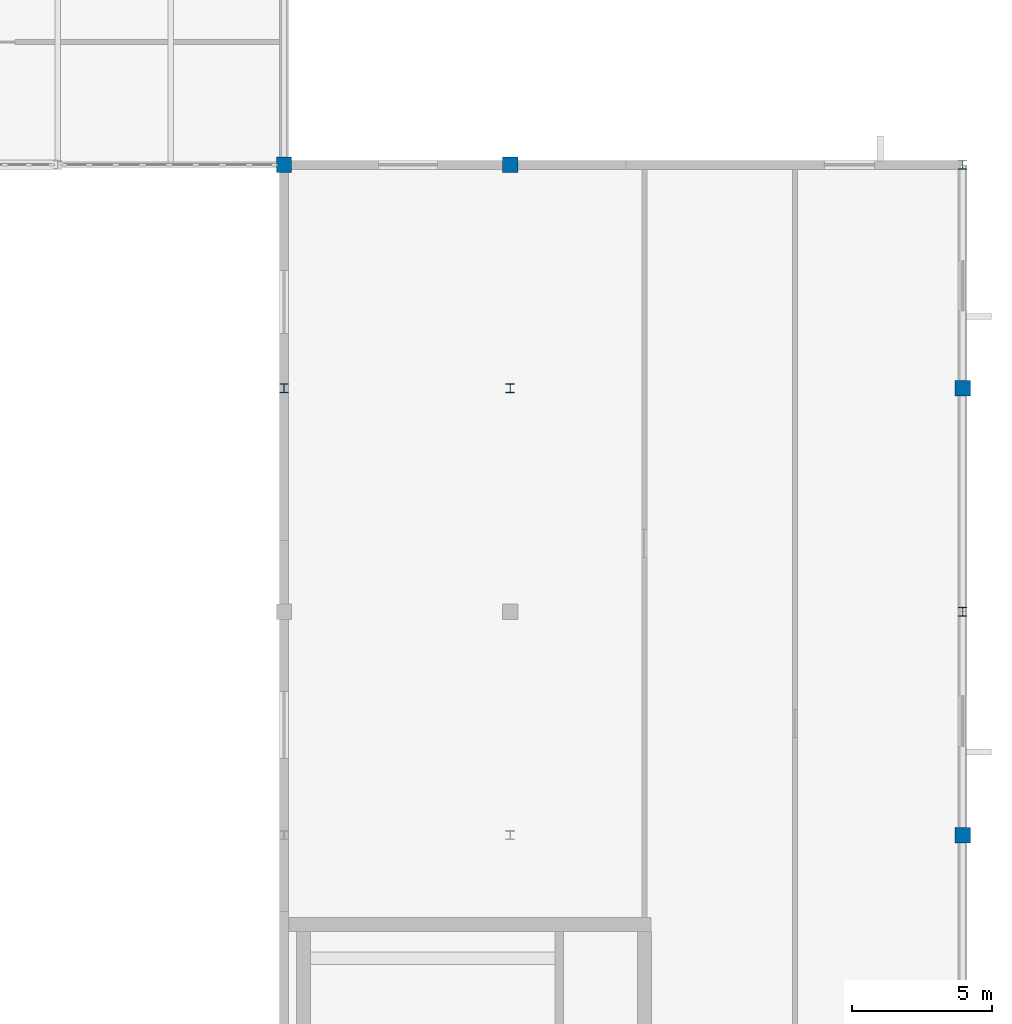
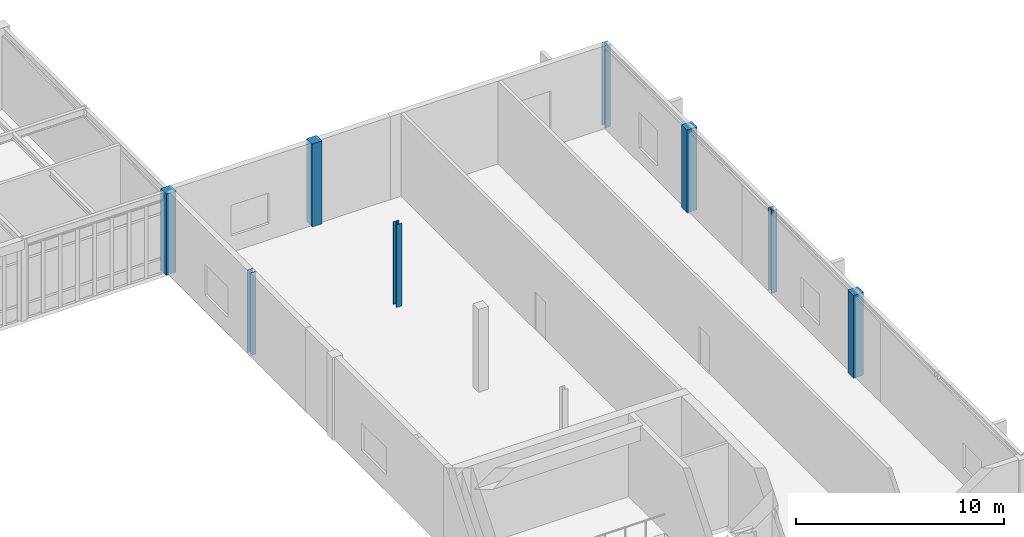
# One storey, part 9 of 70: 8 columns.
"""IFC4 building model written with IfcOpenShell, lengths in metres."""

from ifc_helpers import new_model, si_unit, direction, frame, origin, origin_2d, place, context, subcontext, project, spatial, rectangle, i_section, extrude, material, material_profile, profile_set, type_object, element, save


model = new_model("IFC4")

# Units and contexts
model_context = context("Model", 3, precision=1e-05, world=origin(), true_north=direction((0.0, 1.0)))
body_context = subcontext(model_context, "Body", "Model", "MODEL_VIEW")
ifc_project = project(units=[si_unit("LENGTHUNIT", "METRE"), si_unit("AREAUNIT", "SQUARE_METRE"), si_unit("VOLUMEUNIT", "CUBIC_METRE"), si_unit("PLANEANGLEUNIT", "RADIAN"), si_unit("MASSUNIT", "GRAM", prefix="KILO")], contexts=[model_context])

# Site, building, storey
site_placement = place(None, origin())
site = spatial("IfcSite", under=ifc_project, at=site_placement, CompositionType="ELEMENT")
building_placement = place(site_placement, origin())
building = spatial("IfcBuilding", under=site, at=building_placement, Name="Tarnveldt Square Police Headquarters", CompositionType="ELEMENT")
storey_placement = place(building_placement, frame((0.0, 0.0, 19.800048828125)))
storey = spatial("IfcBuildingStorey", under=building, at=storey_placement, Name="L04", CompositionType="ELEMENT", Elevation=19.800048828125)

# Columns
ifc_material_1 = material(Name="Concrete 40 MPa", Category="concrete")
ifc_material_profile_1 = material_profile(ifc_material_1, rectangle(XDim=0.550048828125, YDim=0.550048828125, at=origin_2d()), Name="RC-C550x550")
ifc_profile_set_1 = profile_set([ifc_material_profile_1], Name="Concrete 40 MPa")
column_type_1 = type_object("IfcColumnType", Name="COL-RC550", PredefinedType="COLUMN", material=ifc_profile_set_1)
column_placement = place(storey_placement, frame((105.300048828125, 96.0, 0.0), z_axis=(0.0, 0.0, 1.0), x_axis=(1.0, 0.0, 0.0)))
element("IfcColumn", 1, at=column_placement, inside=storey, type_object=column_type_1, Name="L04 Column 150", PredefinedType="COLUMN", context=body_context, shape_type="SweptSolid", body=[
    extrude(rectangle(XDim=0.550048828125, YDim=0.550048828125, at=origin_2d()), origin(), (0.0, 0.0, 1.0), 4.760009765625),
])
for number, where, z_axis, x_axis, name in (
    (2, (113.39990234375, 96.0, 0.0), (0.0, 0.0, 1.0), (1.0, 0.0, 0.0), "L04 Column 160"),
    (3, (129.60009765625, 72.0, 0.0), (0.0, 0.0, 1.0), (1.0, 0.0, 0.0), "L04 Column 174"),
    (4, (129.60009765625, 88.0, 0.0), (0.0, 0.0, 1.0), (1.0, 0.0, 0.0), "L04 Column 176"),
):
    element("IfcColumn", number, at=place(storey_placement, frame(where, z_axis=z_axis, x_axis=x_axis)), inside=storey, type_object=column_type_1, Name=name, PredefinedType="COLUMN", context=body_context, shape_type="SweptSolid", body=[
        extrude(rectangle(XDim=0.550048828125, YDim=0.550048828125, at=origin_2d()), origin(), (0.0, 0.0, 1.0), 4.85986328125),
    ])
ifc_material_2 = material(Name="Steel 350W", Category="steel")
ifc_material_profile_2 = material_profile(ifc_material_2, i_section(OverallWidth=0.304931640625, OverallDepth=0.30810546875, WebThickness=0.010009765625, FlangeThickness=0.015380859375, FilletRadius=0.014892578125, at=origin_2d()), Name="W310x97")
ifc_profile_set_2 = profile_set([ifc_material_profile_2], Name="Steel 350W")
column_type_2 = type_object("IfcColumnType", Name="COL-W310x97", PredefinedType="COLUMN", material=ifc_profile_set_2)
for number, where, z_axis, x_axis, name in (
    (5, (105.300048828125, 88.0, 0.0), (0.0, 0.0, 1.0), (1.0, 0.0, 0.0), "L04 Column 149"),
    (6, (113.39990234375, 88.0, 0.0), (0.0, 0.0, 1.0), (1.0, 0.0, 0.0), "L04 Column 159"),
    (7, (129.60009765625, 80.0, 0.0), (0.0, 0.0, 1.0), (1.0, 0.0, 0.0), "L04 Column 175"),
    (8, (129.60009765625, 96.0, 0.0), (0.0, 0.0, 1.0), (1.0, 0.0, 0.0), "L04 Column 177"),
):
    element("IfcColumn", number, at=place(storey_placement, frame(where, z_axis=z_axis, x_axis=x_axis)), inside=storey, type_object=column_type_2, Name=name, PredefinedType="COLUMN", context=body_context, shape_type="SweptSolid", body=[
        extrude(i_section(OverallWidth=0.304931640625, OverallDepth=0.30810546875, WebThickness=0.010009765625, FlangeThickness=0.015380859375, FilletRadius=0.014892578125, at=origin_2d()), origin(), (0.0, 0.0, 1.0), 4.85986328125),
    ])

save(model, "model.ifc")
